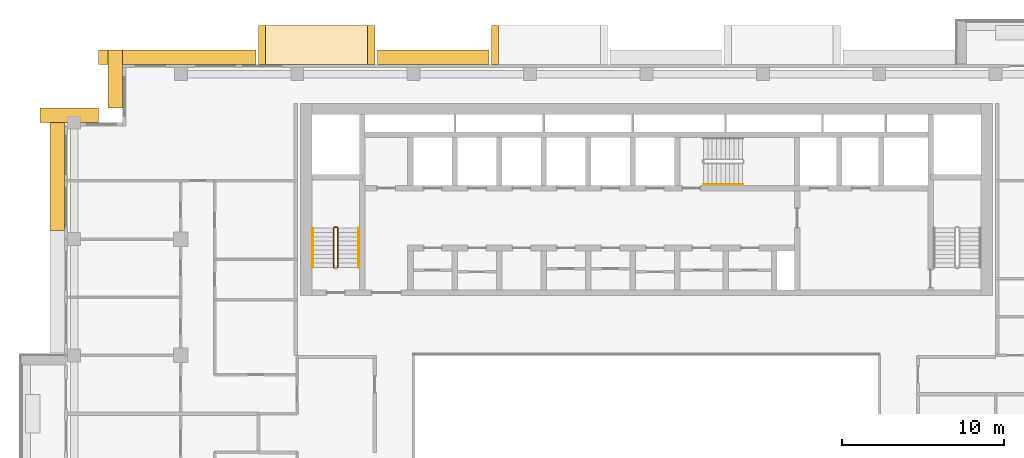
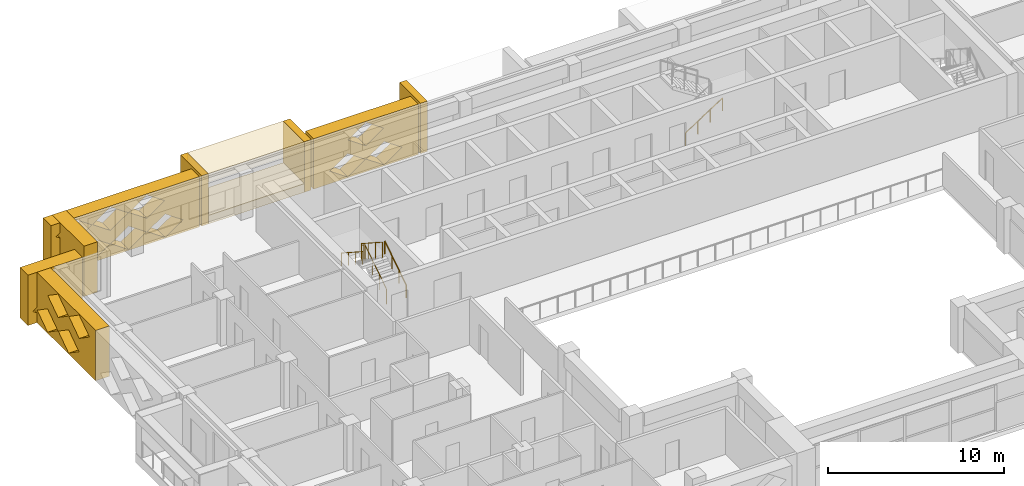
# One storey, part 18 of 20: 10 coverings, 4 railings.
"""IFC4 building model written with IfcOpenShell, lengths in metres."""

from ifc_helpers import new_model, si_unit, direction, frame, origin, origin_2d, place, context, subcontext, project, spatial, polyline, circle, outline, extrude, material, type_object, element, save


model = new_model("IFC4")

# Units and contexts
model_context = context("Model", 3, precision=1e-05, world=origin(), true_north=direction((0.0, 1.0)))
body_context = subcontext(model_context, "Body", "Model", "MODEL_VIEW")
ifc_project = project(units=[si_unit("LENGTHUNIT", "METRE"), si_unit("AREAUNIT", "SQUARE_METRE"), si_unit("VOLUMEUNIT", "CUBIC_METRE"), si_unit("PLANEANGLEUNIT", "RADIAN"), si_unit("MASSUNIT", "GRAM", prefix="KILO")], contexts=[model_context])

# Site, building, storey
site_placement = place(None, origin())
site = spatial("IfcSite", under=ifc_project, at=site_placement, CompositionType="ELEMENT")
building_placement = place(site_placement, origin())
building = spatial("IfcBuilding", under=site, at=building_placement, Name="Saffron Iwan Residences", CompositionType="ELEMENT")
storey_placement = place(building_placement, frame((0.0, 0.0, 185.0)))
storey = spatial("IfcBuildingStorey", under=building, at=storey_placement, Name="L49", CompositionType="ELEMENT", Elevation=185.0)

# Coverings
ifc_material_1 = material(Name="Precast concrete C40/50", Category="concrete")
covering_type_1 = type_object("IfcCoveringType", Name="OUTER SKIN LATTICE SCREEN", PredefinedType="CLADDING", material=ifc_material_1)
covering_1_placement = place(storey_placement, frame((40.64990234375, 80.39990234375, -0.300048828125), z_axis=(0.0, 1.0, 0.0), x_axis=(-1.0, 0.0, 0.0)))
element("IfcCovering", 1, at=covering_1_placement, inside=storey, type_object=covering_type_1, Name="OUTER SKIN lattice screen L49 F5.3", PredefinedType="CLADDING", context=body_context, shape_type="SweptSolid", body=[
    extrude(outline(polyline([(0.0, 0.0), (6.89990234375, 0.0), (6.89990234375, 3.5), (0.0, 3.5), (0.0, 0.0)]), holes=[polyline([(1.070068359375, 0.875), (2.25, 0.06005859375), (3.429931640625, 0.875), (2.25, 1.68994140625), (1.070068359375, 0.875)]), polyline([(3.469970703125, 0.875), (4.64990234375, 0.06005859375), (5.830078125, 0.875), (4.64990234375, 1.68994140625), (3.469970703125, 0.875)]), polyline([(2.27001953125, 2.625), (3.449951171875, 1.81005859375), (4.6298828125, 2.625), (3.449951171875, 3.43994140625), (2.27001953125, 2.625)])]), origin(), (0.0, 0.0, 1.0), 0.900146484375),
])
covering_2_placement = place(storey_placement, frame((26.25, 80.39990234375, -0.300048828125), z_axis=(0.0, 1.0, 0.0), x_axis=(-1.0, 0.0, 0.0)))
element("IfcCovering", 2, at=covering_2_placement, inside=storey, type_object=covering_type_1, Name="OUTER SKIN lattice screen L49 F5.4", PredefinedType="CLADDING", context=body_context, shape_type="SweptSolid", body=[
    extrude(outline(polyline([(0.0, 0.0), (9.75, 0.0), (9.75, 3.5), (0.0, 3.5), (0.0, 0.0)]), holes=[polyline([(1.070068359375, 0.875), (2.25, 0.06005859375), (3.429931640625, 0.875), (2.25, 1.68994140625), (1.070068359375, 0.875)]), polyline([(3.469970703125, 0.875), (4.64990234375, 0.06005859375), (5.830078125, 0.875), (4.64990234375, 1.68994140625), (3.469970703125, 0.875)]), polyline([(5.8701171875, 0.875), (7.050048828125, 0.06005859375), (8.22998046875, 0.875), (7.050048828125, 1.68994140625), (5.8701171875, 0.875)]), polyline([(2.27001953125, 2.625), (3.449951171875, 1.81005859375), (4.6298828125, 2.625), (3.449951171875, 3.43994140625), (2.27001953125, 2.625)]), polyline([(4.669921875, 2.625), (5.85009765625, 1.81005859375), (7.030029296875, 2.625), (5.85009765625, 3.43994140625), (4.669921875, 2.625)]), polyline([(7.070068359375, 2.625), (8.25, 1.81005859375), (9.429931640625, 2.625), (8.25, 3.43994140625), (7.070068359375, 2.625)])]), origin(), (0.0, 0.0, 1.0), 0.900146484375),
])
for number, where, z_axis, x_axis, name in (
    (3, (18.0, 81.300048828125, -0.300048828125), (-1.0, 0.0, 0.0), (0.0, -1.0, 0.0), "OUTER SKIN lattice screen L49 F6.0"),
    (4, (16.5, 76.800048828125, -0.300048828125), (0.0, 1.0, 0.0), (-1.0, 0.0, 0.0), "OUTER SKIN lattice screen L49 F7.0"),
):
    element("IfcCovering", number, at=place(storey_placement, frame(where, z_axis=z_axis, x_axis=x_axis)), inside=storey, type_object=covering_type_1, Name=name, PredefinedType="CLADDING", context=body_context, shape_type="SweptSolid", body=[
        extrude(outline(polyline([(0.0, 0.0), (3.60009765625, 0.0), (3.60009765625, 3.5), (0.0, 3.5), (0.0, 0.0)]), holes=[polyline([(0.919921875, 0.875), (2.10009765625, 0.06005859375), (3.280029296875, 0.875), (2.10009765625, 1.68994140625), (0.919921875, 0.875)])]), origin(), (0.0, 0.0, 1.0), 0.89990234375),
    ])
covering_3_placement = place(storey_placement, frame((14.39990234375, 77.699951171875, -0.300048828125), z_axis=(-1.0, 0.0, 0.0), x_axis=(0.0, -1.0, 0.0)))
element("IfcCovering", 5, at=covering_3_placement, inside=storey, type_object=covering_type_1, Name="OUTER SKIN lattice screen L49 F8.0", PredefinedType="CLADDING", context=body_context, shape_type="SweptSolid", body=[
    extrude(outline(polyline([(0.0, 0.0), (7.574951171875, 0.0), (7.574951171875, 3.5), (0.0, 3.5), (0.0, 0.0)]), holes=[polyline([(0.919921875, 0.875), (2.10009765625, 0.06005859375), (3.280029296875, 0.875), (2.10009765625, 1.68994140625), (0.919921875, 0.875)]), polyline([(3.320068359375, 0.875), (4.5, 0.06005859375), (5.679931640625, 0.875), (4.5, 1.68994140625), (3.320068359375, 0.875)]), polyline([(2.1201171875, 2.625), (3.300048828125, 1.81005859375), (4.47998046875, 2.625), (3.300048828125, 3.43994140625), (2.1201171875, 2.625)]), polyline([(4.52001953125, 2.625), (5.699951171875, 1.81005859375), (6.8798828125, 2.625), (5.699951171875, 3.43994140625), (4.52001953125, 2.625)])]), origin(), (0.0, 0.0, 1.0), 0.89990234375),
])

# Railings
ifc_material_2 = material(Name="Steel S355", Category="steel")
railing_type_1 = type_object("IfcRailingType", Name="Stair guard 1100", PredefinedType="GUARDRAIL", material=ifc_material_2)
railing_1_placement = place(storey_placement, frame((31.300048828125, 67.85009765625, 0.175048828125)))
element("IfcRailing", 6, at=railing_1_placement, inside=storey, type_object=railing_type_1, Name="L49 ST-W stair guard 1", PredefinedType="GUARDRAIL", context=body_context, shape_type="SweptSolid", body=[
    extrude(circle(Radius=0.02392578125, at=origin_2d()), frame((0.0, 0.0, 1.076171875), z_axis=(0.0, 0.839153699163, 0.543894354798), x_axis=(-1.0, 0.0, 0.0)), (0.0, 0.0, 1.0), 2.895751953125),
    extrude(circle(Radius=0.02392578125, at=origin_2d()), frame((0.0, 2.429931640625, 2.65087890625), z_axis=(-0.707106781187, 0.707106781187, 0.0), x_axis=(-0.707106781187, -0.707106781187, 0.0)), (0.0, 0.0, 1.0), 0.07080078125),
    extrude(circle(Radius=0.02392578125, at=origin_2d()), frame((-0.050048828125, 2.47998046875, 2.65087890625), z_axis=(-1.0, 0.0, 0.0), x_axis=(0.0, -1.0, 0.0)), (0.0, 0.0, 1.0), 0.14990234375),
    extrude(circle(Radius=0.02392578125, at=origin_2d()), frame((-0.199951171875, 2.47998046875, 2.65087890625), z_axis=(-0.265065253269, -0.265065253269, 0.927081885822), x_axis=(0.707106781187, -0.707106781187, 0.0)), (0.0, 0.0, 1.0), 0.188720703125),
    extrude(circle(Radius=0.02392578125, at=origin_2d()), frame((-0.25, 2.429931640625, 2.826171875), z_axis=(0.0, -0.839153699163, 0.543894354798), x_axis=(1.0, 0.0, 0.0)), (0.0, 0.0, 1.0), 2.895751953125),
    extrude(circle(Radius=0.02099609375, at=origin_2d()), origin(), (0.0, 0.0, 1.0), 1.052001953125),
    extrude(circle(Radius=0.02099609375, at=origin_2d()), frame((0.0, 0.81005859375, 0.52490234375)), (0.0, 0.0, 1.0), 1.052001953125),
    extrude(circle(Radius=0.02099609375, at=origin_2d()), frame((0.0, 1.619873046875, 1.050048828125)), (0.0, 0.0, 1.0), 1.052001953125),
    extrude(circle(Radius=0.02099609375, at=origin_2d()), frame((0.0, 2.429931640625, 1.574951171875)), (0.0, 0.0, 1.0), 1.052001953125),
    extrude(circle(Radius=0.02099609375, at=origin_2d()), frame((-0.050048828125, 2.47998046875, 1.574951171875)), (0.0, 0.0, 1.0), 1.052001953125),
    extrude(circle(Radius=0.02099609375, at=origin_2d()), frame((-0.199951171875, 2.47998046875, 1.574951171875)), (0.0, 0.0, 1.0), 1.052001953125),
    extrude(circle(Radius=0.02099609375, at=origin_2d()), frame((-0.25, 2.429931640625, 1.75)), (0.0, 0.0, 1.0), 1.052001953125),
    extrude(circle(Radius=0.02099609375, at=origin_2d()), frame((-0.25, 1.619873046875, 2.27490234375)), (0.0, 0.0, 1.0), 1.052001953125),
    extrude(circle(Radius=0.02099609375, at=origin_2d()), frame((-0.25, 0.81005859375, 2.800048828125)), (0.0, 0.0, 1.0), 1.052001953125),
    extrude(circle(Radius=0.02099609375, at=origin_2d()), frame((-0.25, 0.0, 3.324951171875)), (0.0, 0.0, 1.0), 1.052001953125),
])
ifc_material_3 = material(Name="Stainless steel 316", Category="steel")
railing_type_2 = type_object("IfcRailingType", Name="Stair handrail 900", PredefinedType="HANDRAIL", material=ifc_material_3)
railing_2_placement = place(storey_placement, frame((32.60009765625, 67.85009765625, 0.175048828125)))
element("IfcRailing", 7, at=railing_2_placement, inside=storey, type_object=railing_type_2, Name="L49 ST-W stair handrail 1", PredefinedType="HANDRAIL", context=body_context, shape_type="SweptSolid", body=[
    extrude(circle(Radius=0.02392578125, at=origin_2d()), frame((0.0, 0.0, 0.8759765625), z_axis=(0.0, 0.839153699163, 0.543894354798), x_axis=(-1.0, 0.0, 0.0)), (0.0, 0.0, 1.0), 2.895751953125),
    extrude(circle(Radius=0.02099609375, at=origin_2d()), origin(), (0.0, 0.0, 1.0), 0.851806640625),
    extrude(circle(Radius=0.02099609375, at=origin_2d()), frame((0.0, 0.81005859375, 0.52490234375)), (0.0, 0.0, 1.0), 0.851806640625),
    extrude(circle(Radius=0.02099609375, at=origin_2d()), frame((0.0, 1.619873046875, 1.050048828125)), (0.0, 0.0, 1.0), 0.851806640625),
    extrude(circle(Radius=0.02099609375, at=origin_2d()), frame((0.0, 2.429931640625, 1.574951171875)), (0.0, 0.0, 1.0), 0.851806640625),
])
railing_3_placement = place(storey_placement, frame((29.75, 70.280029296875, 1.925048828125)))
element("IfcRailing", 8, at=railing_3_placement, inside=storey, type_object=railing_type_2, Name="L49 ST-W stair handrail 2", PredefinedType="HANDRAIL", context=body_context, shape_type="SweptSolid", body=[
    extrude(circle(Radius=0.02392578125, at=origin_2d()), frame((0.0, 0.0, 0.8759765625), z_axis=(0.0, -0.839153699163, 0.543894354798), x_axis=(1.0, 0.0, 0.0)), (0.0, 0.0, 1.0), 2.895751953125),
    extrude(circle(Radius=0.02099609375, at=origin_2d()), origin(), (0.0, 0.0, 1.0), 0.851806640625),
    extrude(circle(Radius=0.02099609375, at=origin_2d()), frame((0.0, -0.81005859375, 0.52490234375)), (0.0, 0.0, 1.0), 0.851806640625),
    extrude(circle(Radius=0.02099609375, at=origin_2d()), frame((0.0, -1.619873046875, 1.050048828125)), (0.0, 0.0, 1.0), 0.851806640625),
    extrude(circle(Radius=0.02099609375, at=origin_2d()), frame((0.0, -2.429931640625, 1.574951171875)), (0.0, 0.0, 1.0), 0.851806640625),
])
railing_4_placement = place(storey_placement, frame((53.925048828125, 72.97509765625, 0.175048828125)))
element("IfcRailing", 9, at=railing_4_placement, inside=storey, type_object=railing_type_2, Name="L49 ST-C stair handrail 1", PredefinedType="HANDRAIL", context=body_context, shape_type="SweptSolid", body=[
    extrude(circle(Radius=0.02392578125, at=origin_2d()), frame((0.0, 0.0, 0.8759765625), z_axis=(0.839153699163, 0.0, 0.543894354798), x_axis=(0.0, 1.0, 0.0)), (0.0, 0.0, 1.0), 2.895751953125),
    extrude(circle(Radius=0.02099609375, at=origin_2d()), origin(), (0.0, 0.0, 1.0), 0.851806640625),
    extrude(circle(Radius=0.02099609375, at=origin_2d()), frame((0.81005859375, 0.0, 0.52490234375)), (0.0, 0.0, 1.0), 0.851806640625),
    extrude(circle(Radius=0.02099609375, at=origin_2d()), frame((1.619873046875, 0.0, 1.050048828125)), (0.0, 0.0, 1.0), 0.851806640625),
    extrude(circle(Radius=0.02099609375, at=origin_2d()), frame((2.429931640625, 0.0, 1.574951171875)), (0.0, 0.0, 1.0), 0.851806640625),
])

# Coverings
ifc_material_4 = material(Name="Precast concrete C40/50 white painted", Category="concrete")
covering_type_2 = type_object("IfcCoveringType", Name="WHITE SUN FRAME PRECAST", PredefinedType="CLADDING", material=ifc_material_4)
for number, where, z_axis, x_axis, name in (
    (10, (41.25, 80.39990234375, -0.300048828125), (0.0, 1.0, 0.0), (-1.0, 0.0, 0.0), "Sun frame L49 F5 34.8b"),
    (11, (33.60009765625, 80.39990234375, -0.300048828125), (0.0, 1.0, 0.0), (-1.0, 0.0, 0.0), "Sun frame L49 F5 49.2a"),
    (12, (26.85009765625, 80.39990234375, -0.300048828125), (0.0, 1.0, 0.0), (-1.0, 0.0, 0.0), "Sun frame L49 F5 49.2b"),
):
    element("IfcCovering", number, at=place(storey_placement, frame(where, z_axis=z_axis, x_axis=x_axis)), inside=storey, type_object=covering_type_2, Name=name, PredefinedType="CLADDING", context=body_context, shape_type="SweptSolid", body=[
        extrude(outline(polyline([(0.0, 0.0), (0.449951171875, 0.0), (0.449951171875, 3.5), (0.0, 3.5), (0.0, 0.0)])), origin(), (0.0, 0.0, 1.0), 2.400146484375),
    ])
for number, where, z_axis, x_axis, name in (
    (13, (33.14990234375, 80.39990234375, 2.60009765625), (0.0, 1.0, 0.0), (-1.0, 0.0, 0.0), "Sun frame L49 F5 49.2h"),
    (14, (33.14990234375, 80.39990234375, -0.300048828125), (0.0, 1.0, 0.0), (-1.0, 0.0, 0.0), "Sun frame L49 F5 49.2s"),
):
    element("IfcCovering", number, at=place(storey_placement, frame(where, z_axis=z_axis, x_axis=x_axis)), inside=storey, type_object=covering_type_2, Name=name, PredefinedType="CLADDING", context=body_context, shape_type="SweptSolid", body=[
        extrude(outline(polyline([(0.0, 0.0), (6.300048828125, 0.0), (6.300048828125, 0.60009765625), (0.0, 0.60009765625), (0.0, 0.0)])), origin(), (0.0, 0.0, 1.0), 2.400146484375),
    ])

save(model, "model.ifc")
